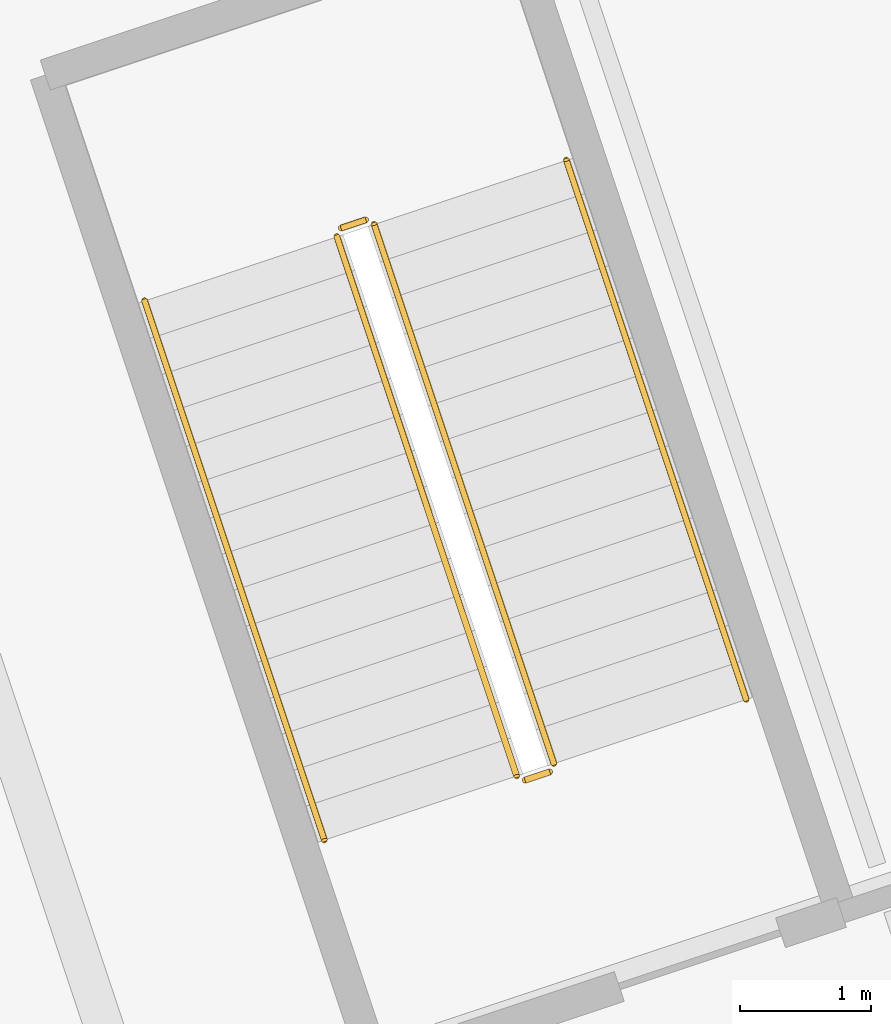
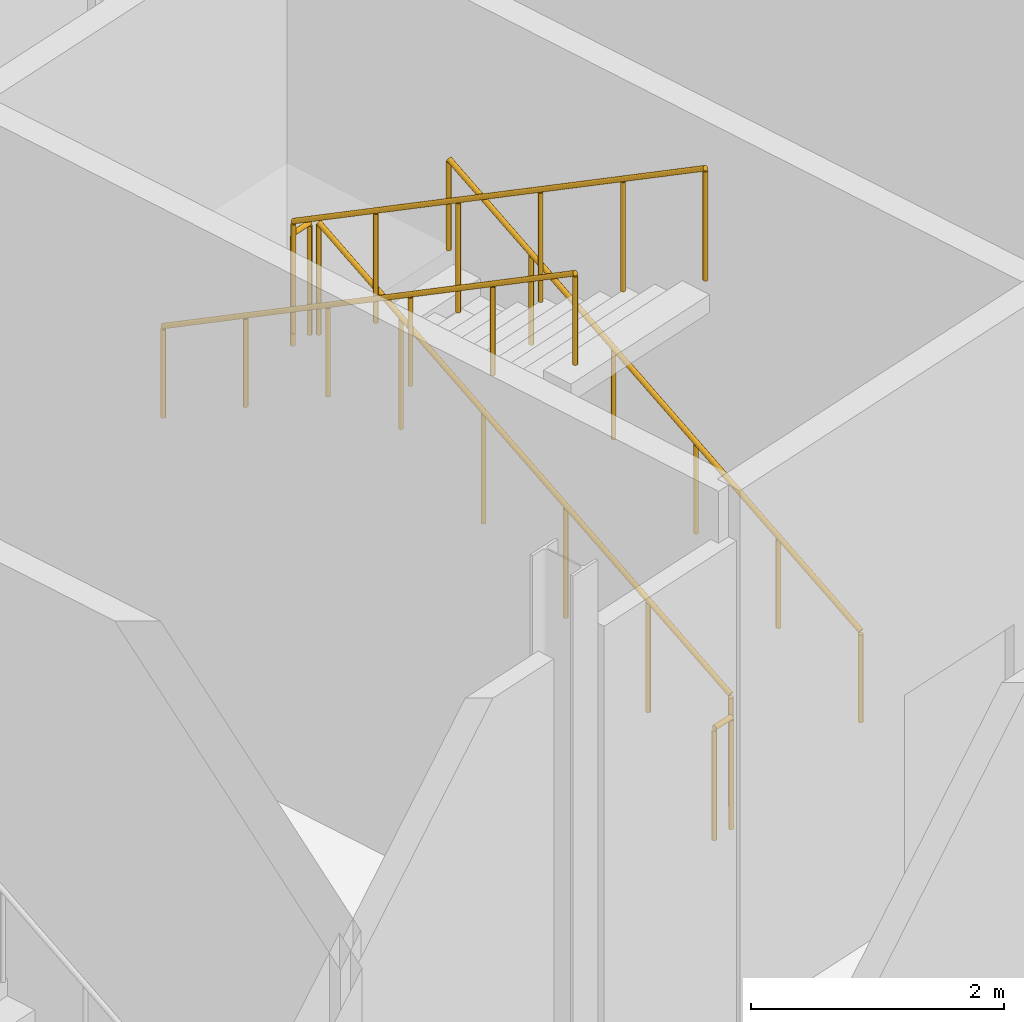
# One storey, part 153 of 158: 6 railings.
"""IFC4 building model written with IfcOpenShell, lengths in metres."""

from ifc_helpers import new_model, si_unit, derived_unit, direction, frame, origin, origin_2d, place, context, subcontext, project, spatial, circle, extrude, material, type_object, element, save


model = new_model("IFC4")

# Units and contexts
model_context = context("Model", 3, precision=1e-05, world=origin(), true_north=direction((0.0, 1.0)))
body_context = subcontext(model_context, "Body", "Model", "MODEL_VIEW")
ifc_project = project(units=[si_unit("LENGTHUNIT", "METRE"), si_unit("AREAUNIT", "SQUARE_METRE"), si_unit("VOLUMEUNIT", "CUBIC_METRE"), si_unit("PLANEANGLEUNIT", "RADIAN"), si_unit("MASSUNIT", "GRAM", prefix="KILO"), si_unit("THERMODYNAMICTEMPERATUREUNIT", "KELVIN"), si_unit("TIMEUNIT", "SECOND"), derived_unit("THERMALTRANSMITTANCEUNIT", [(si_unit("MASSUNIT", "GRAM", prefix="KILO"), 1), (si_unit("THERMODYNAMICTEMPERATUREUNIT", "KELVIN"), -1), (si_unit("TIMEUNIT", "SECOND"), -3)])], contexts=[model_context])

# Site, building, storey
site_placement = place(None, origin())
site = spatial("IfcSite", under=ifc_project, at=site_placement, CompositionType="ELEMENT")
building_placement = place(site_placement, origin())
building = spatial("IfcBuilding", under=site, at=building_placement, Name="Cambertide Market Hall", CompositionType="ELEMENT")
storey_placement = place(building_placement, origin())
storey = spatial("IfcBuildingStorey", under=building, at=storey_placement, Name="L01", CompositionType="ELEMENT", Elevation=0.0)

# Railings
ifc_material_1 = material(Name="Stainless Steel Grade 316", Category="metal")
railing_type_1 = type_object("IfcRailingType", Name="Stair Wall Handrail 900", PredefinedType="HANDRAIL", material=ifc_material_1)
railing_1_placement = place(storey_placement, frame((147.63134765625, 46.642822265625, 0.168701171875)))
element("IfcRailing", 1, at=railing_1_placement, inside=storey, type_object=railing_type_1, Name="Level 1 ST-05B stair handrail 1", PredefinedType="HANDRAIL", context=body_context, shape_type="SweptSolid", body=[
    extrude(circle(Radius=0.02392578125, at=origin_2d()), frame((0.0, 0.0, 0.8759765625), z_axis=(-0.273305608968, 0.819965336951, 0.502952174969), x_axis=(-0.948688910449, -0.316210928324, 0.0)), (0.0, 0.0, 1.0), 5.03271484375),
    extrude(circle(Radius=0.02099609375, at=origin_2d()), origin(), (0.0, 0.0, 1.0), 0.851806640625),
    extrude(circle(Radius=0.02099609375, at=origin_2d()), frame((-0.275146484375, 0.825439453125, 0.50634765625)), (0.0, 0.0, 1.0), 0.851806640625),
    extrude(circle(Radius=0.02099609375, at=origin_2d()), frame((-0.55029296875, 1.650634765625, 1.012451171875)), (0.0, 0.0, 1.0), 0.851806640625),
    extrude(circle(Radius=0.02099609375, at=origin_2d()), frame((-0.8251953125, 2.47607421875, 1.518798828125)), (0.0, 0.0, 1.0), 0.851806640625),
    extrude(circle(Radius=0.02099609375, at=origin_2d()), frame((-1.100341796875, 3.30126953125, 2.02490234375)), (0.0, 0.0, 1.0), 0.851806640625),
    extrude(circle(Radius=0.02099609375, at=origin_2d()), frame((-1.37548828125, 4.126708984375, 2.53125)), (0.0, 0.0, 1.0), 0.851806640625),
])
railing_2_placement = place(storey_placement, frame((143.0302734375, 49.6943359375, 2.86865234375)))
element("IfcRailing", 2, at=railing_2_placement, inside=storey, type_object=railing_type_1, Name="Level 1 ST-05B stair handrail 2", PredefinedType="HANDRAIL", context=body_context, shape_type="SweptSolid", body=[
    extrude(circle(Radius=0.02392578125, at=origin_2d()), frame((0.0, 0.0, 0.8759765625), z_axis=(0.273305608968, -0.819965336951, 0.502952174969), x_axis=(0.948688910449, 0.316210928324, 0.0)), (0.0, 0.0, 1.0), 5.03271484375),
    extrude(circle(Radius=0.02099609375, at=origin_2d()), origin(), (0.0, 0.0, 1.0), 0.851806640625),
    extrude(circle(Radius=0.02099609375, at=origin_2d()), frame((0.275146484375, -0.825439453125, 0.50634765625)), (0.0, 0.0, 1.0), 0.851806640625),
    extrude(circle(Radius=0.02099609375, at=origin_2d()), frame((0.55029296875, -1.650634765625, 1.012451171875)), (0.0, 0.0, 1.0), 0.851806640625),
    extrude(circle(Radius=0.02099609375, at=origin_2d()), frame((0.8251953125, -2.47607421875, 1.518798828125)), (0.0, 0.0, 1.0), 0.851806640625),
    extrude(circle(Radius=0.02099609375, at=origin_2d()), frame((1.100341796875, -3.30126953125, 2.02490234375)), (0.0, 0.0, 1.0), 0.851806640625),
    extrude(circle(Radius=0.02099609375, at=origin_2d()), frame((1.37548828125, -4.126708984375, 2.53125)), (0.0, 0.0, 1.0), 0.851806640625),
])
ifc_material_2 = material(Name="Stainless Steel Grade 316", Category="metal")
railing_type_2 = type_object("IfcRailingType", Name="Stairwell Inner Guardrail 1100", PredefinedType="GUARDRAIL", material=ifc_material_2)
railing_3_placement = place(storey_placement, frame((146.160888671875, 46.152587890625, 0.168701171875)))
element("IfcRailing", 3, at=railing_3_placement, inside=storey, type_object=railing_type_2, Name="Level 1 ST-05B stair guard 1", PredefinedType="GUARDRAIL", context=body_context, shape_type="SweptSolid", body=[
    extrude(circle(Radius=0.02392578125, at=origin_2d()), frame((0.0, 0.0, 1.076171875), z_axis=(-0.273305608968, 0.819965336951, 0.502952174969), x_axis=(-0.948688910449, -0.316210928324, 0.0)), (0.0, 0.0, 1.0), 5.03271484375),
    extrude(circle(Radius=0.02099609375, at=origin_2d()), origin(), (0.0, 0.0, 1.0), 1.052001953125),
    extrude(circle(Radius=0.02099609375, at=origin_2d()), frame((-0.275146484375, 0.825439453125, 0.50634765625)), (0.0, 0.0, 1.0), 1.052001953125),
    extrude(circle(Radius=0.02099609375, at=origin_2d()), frame((-0.55029296875, 1.650634765625, 1.012451171875)), (0.0, 0.0, 1.0), 1.052001953125),
    extrude(circle(Radius=0.02099609375, at=origin_2d()), frame((-0.8251953125, 2.47607421875, 1.518798828125)), (0.0, 0.0, 1.0), 1.052001953125),
    extrude(circle(Radius=0.02099609375, at=origin_2d()), frame((-1.100341796875, 3.30126953125, 2.02490234375)), (0.0, 0.0, 1.0), 1.052001953125),
    extrude(circle(Radius=0.02099609375, at=origin_2d()), frame((-1.37548828125, 4.126708984375, 2.53125)), (0.0, 0.0, 1.0), 1.052001953125),
])
railing_4_placement = place(storey_placement, frame((144.72216796875, 50.31103515625, 2.699951171875)))
element("IfcRailing", 4, at=railing_4_placement, inside=storey, type_object=railing_type_2, Name="Level 1 ST-05B stair guard 2", PredefinedType="GUARDRAIL", context=body_context, shape_type="SweptSolid", body=[
    extrude(circle(Radius=0.02392578125, at=origin_2d()), frame((0.0, 0.0, 1.076171875), z_axis=(-0.948683298051, -0.316227766017, 0.0), x_axis=(0.316227766017, -0.948683298051, 0.0)), (0.0, 0.0, 1.0), 0.199951171875),
    extrude(circle(Radius=0.02099609375, at=origin_2d()), origin(), (0.0, 0.0, 1.0), 1.052001953125),
    extrude(circle(Radius=0.02099609375, at=origin_2d()), frame((-0.189697265625, -0.063232421875, 0.0)), (0.0, 0.0, 1.0), 1.052001953125),
])
railing_5_placement = place(storey_placement, frame((144.500732421875, 50.1845703125, 2.86865234375)))
element("IfcRailing", 5, at=railing_5_placement, inside=storey, type_object=railing_type_2, Name="Level 1 ST-05B stair guard 3", PredefinedType="GUARDRAIL", context=body_context, shape_type="SweptSolid", body=[
    extrude(circle(Radius=0.02392578125, at=origin_2d()), frame((0.0, 0.0, 1.076171875), z_axis=(0.273294738138, -0.819981230652, 0.502932169865), x_axis=(0.94869452195, 0.316194092325, 0.0)), (0.0, 0.0, 1.0), 5.032958984375),
    extrude(circle(Radius=0.02099609375, at=origin_2d()), origin(), (0.0, 0.0, 1.0), 1.052001953125),
    extrude(circle(Radius=0.02099609375, at=origin_2d()), frame((0.275146484375, -0.825439453125, 0.50634765625)), (0.0, 0.0, 1.0), 1.052001953125),
    extrude(circle(Radius=0.02099609375, at=origin_2d()), frame((0.55029296875, -1.65087890625, 1.012451171875)), (0.0, 0.0, 1.0), 1.052001953125),
    extrude(circle(Radius=0.02099609375, at=origin_2d()), frame((0.8251953125, -2.47607421875, 1.518798828125)), (0.0, 0.0, 1.0), 1.052001953125),
    extrude(circle(Radius=0.02099609375, at=origin_2d()), frame((1.100341796875, -3.301513671875, 2.02490234375)), (0.0, 0.0, 1.0), 1.052001953125),
    extrude(circle(Radius=0.02099609375, at=origin_2d()), frame((1.37548828125, -4.126953125, 2.53125)), (0.0, 0.0, 1.0), 1.052001953125),
])
railing_6_placement = place(storey_placement, frame((146.12939453125, 46.08935546875, 0.0)))
element("IfcRailing", 6, at=railing_6_placement, inside=storey, type_object=railing_type_2, Name="Level 1 ST-05B stair guard 4", PredefinedType="GUARDRAIL", context=body_context, shape_type="SweptSolid", body=[
    extrude(circle(Radius=0.02392578125, at=origin_2d()), frame((0.0, 0.0, 1.076171875), z_axis=(-0.948805181896, -0.31586187932, 0.0), x_axis=(0.31586187932, -0.948805181896, 0.0)), (0.0, 0.0, 1.0), 0.2001953125),
    extrude(circle(Radius=0.02099609375, at=origin_2d()), origin(), (0.0, 0.0, 1.0), 1.052001953125),
    extrude(circle(Radius=0.02099609375, at=origin_2d()), frame((-0.18994140625, -0.063232421875, 0.0)), (0.0, 0.0, 1.0), 1.052001953125),
])

save(model, "model.ifc")
